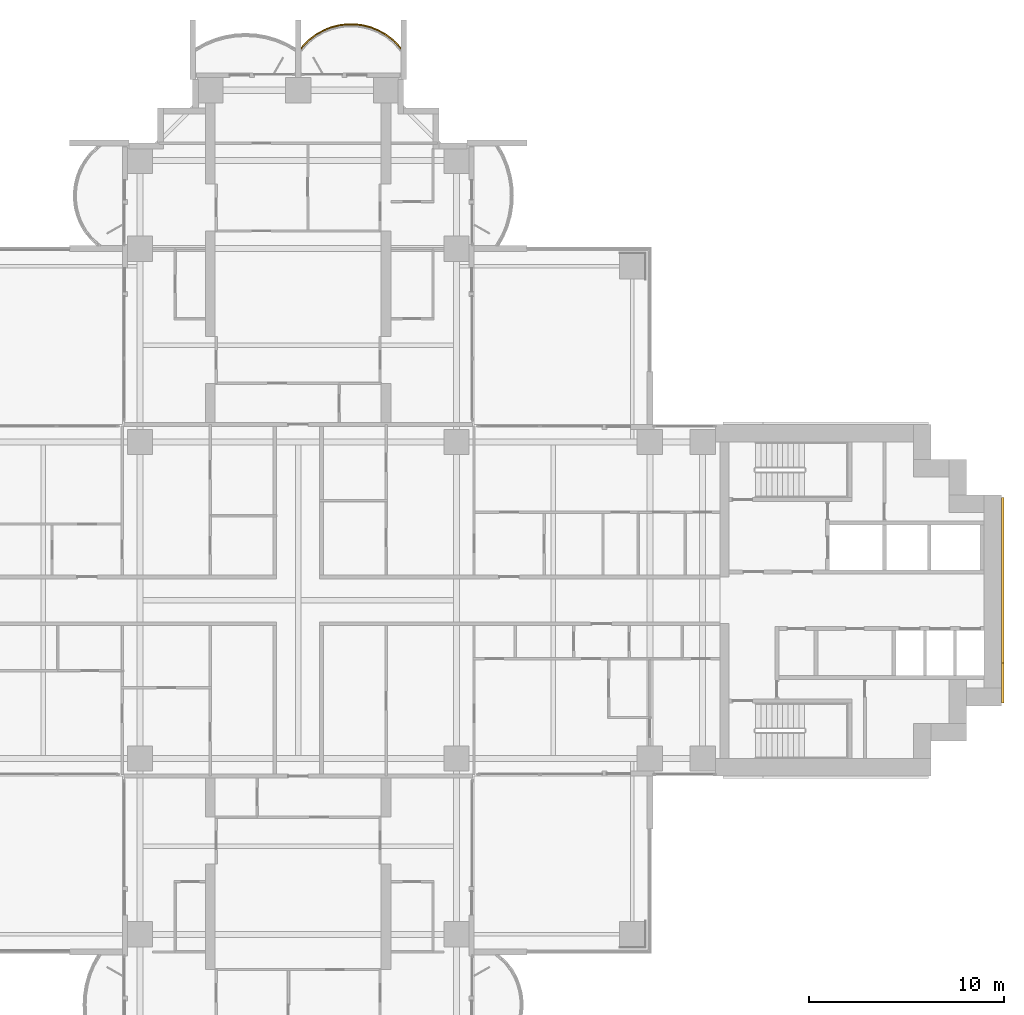
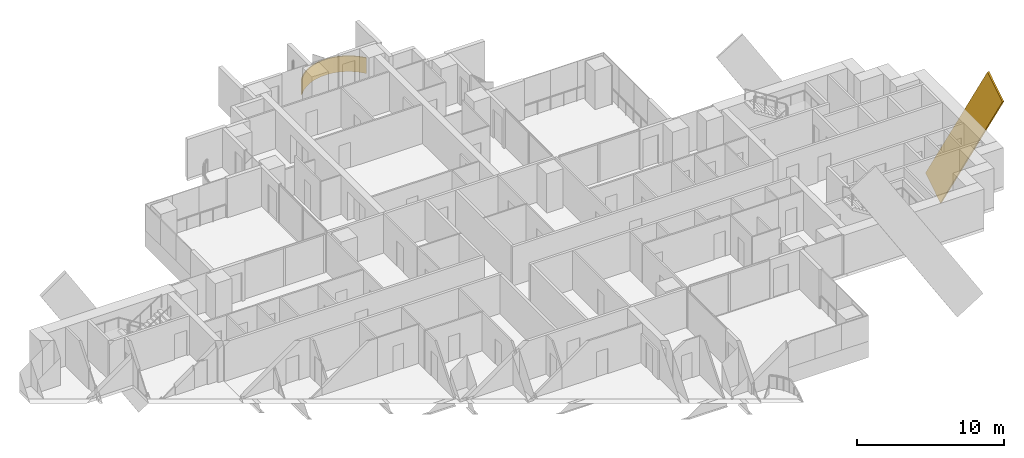
# One storey, part 23 of 23: 2 coverings.
"""IFC4 building model written with IfcOpenShell, lengths in metres."""

from ifc_helpers import new_model, si_unit, direction, frame, origin, origin_2d, place, context, subcontext, project, spatial, polyline, rectangle, outline, extrude, material, layer, layer_set, material_profile, profile_set, type_object, element, save


model = new_model("IFC4")

# Units and contexts
model_context = context("Model", 3, precision=1e-05, world=origin(), true_north=direction((0.0, 1.0)))
body_context = subcontext(model_context, "Body", "Model", "MODEL_VIEW")
ifc_project = project(units=[si_unit("LENGTHUNIT", "METRE"), si_unit("AREAUNIT", "SQUARE_METRE"), si_unit("VOLUMEUNIT", "CUBIC_METRE"), si_unit("PLANEANGLEUNIT", "RADIAN"), si_unit("MASSUNIT", "GRAM", prefix="KILO")], contexts=[model_context])

# Site, building, storey
site_placement = place(None, origin())
site = spatial("IfcSite", under=ifc_project, at=site_placement, CompositionType="ELEMENT")
building_placement = place(site_placement, origin())
building = spatial("IfcBuilding", under=site, at=building_placement, Name="Perihelion Cross Residences", CompositionType="ELEMENT")
storey_placement = place(building_placement, frame((0.0, 0.0, 61.0)))
storey = spatial("IfcBuildingStorey", under=building, at=storey_placement, Name="L12", CompositionType="ELEMENT", Elevation=61.0)

# Coverings
ifc_material_1 = material(Name="Bronze anodised aluminium", Category="aluminium")
ifc_layer = layer(ifc_material_1, 0.070068359375)
ifc_layer_set = layer_set([ifc_layer], Name="Balcony fascia 1300")
covering_type_1 = type_object("IfcCoveringType", Name="Balcony fascia 1300", PredefinedType="CLADDING", material=ifc_layer_set)
covering_1_placement = place(storey_placement, frame((0.0, 0.0, -0.199951171875)))
element("IfcCovering", 1, at=covering_1_placement, inside=storey, type_object=covering_type_1, Name="Fascia BF1 L12 north tip north bay 1", PredefinedType="CLADDING", context=body_context, shape_type="SweptSolid", body=[
    extrude(outline(polyline([(4.90478515625, 28.674072265625), (4.50390625, 28.982666015625), (4.10302734375, 29.20654296875), (3.7021484375, 29.364013671875), (3.30126953125, 29.464599609375), (2.900390625, 29.513916015625), (2.49951171875, 29.513916015625), (2.0986328125, 29.464599609375), (1.69775390625, 29.364013671875), (1.296875, 29.20654296875), (0.89599609375, 28.982666015625), (0.4951171875, 28.674072265625), (0.14990234375, 28.302734375), (0.14990234375, 28.199951171875), (0.542236328125, 28.622314453125), (0.9345703125, 28.924072265625), (1.326904296875, 29.143310546875), (1.71923828125, 29.29736328125), (2.111572265625, 29.39599609375), (2.50390625, 29.444091796875), (2.896240234375, 29.444091796875), (3.28857421875, 29.39599609375), (3.6806640625, 29.29736328125), (4.072998046875, 29.143310546875), (4.46533203125, 28.924072265625), (4.857666015625, 28.622314453125), (5.25, 28.199951171875), (5.25, 28.302734375), (4.90478515625, 28.674072265625)])), origin(), (0.0, 0.0, 1.0), 1.300048828125),
])
ifc_material_2 = material(Name="Bronze anodised aluminium", Category="aluminium")
ifc_material_profile = material_profile(ifc_material_2, rectangle(XDim=0.125, YDim=2.39990234375, at=origin_2d()), Name="Bronze cladding band 2400")
ifc_profile_set = profile_set([ifc_material_profile], Name="Bronze anodised aluminium")
covering_type_2 = type_object("IfcCoveringType", Name="Bronze cladding band 2400", PredefinedType="CLADDING", material=ifc_profile_set)
covering_2_placement = place(storey_placement, frame((36.0625, 4.232421875, -5.951904296875), z_axis=(0.0, -0.529924750763, 0.848044667767), x_axis=(1.0, 0.0, 0.0)))
element("IfcCovering", 2, at=covering_2_placement, inside=storey, type_object=covering_type_2, Name="Core cladding band, east core", PredefinedType="CLADDING", context=body_context, shape_type="SweptSolid", body=[
    extrude(rectangle(XDim=0.125, YDim=2.39990234375, at=origin_2d()), origin(), (0.0, 0.0, 1.0), 15.9736328125),
])

save(model, "model.ifc")
